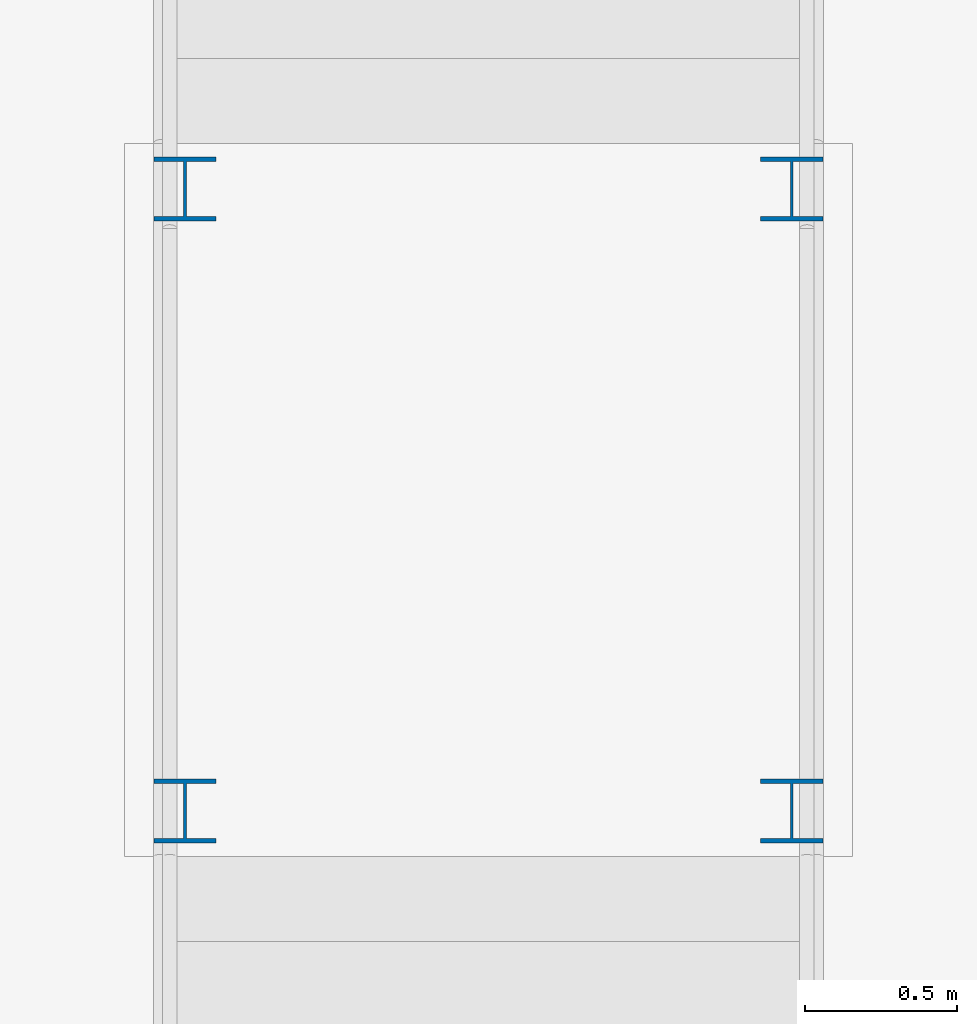
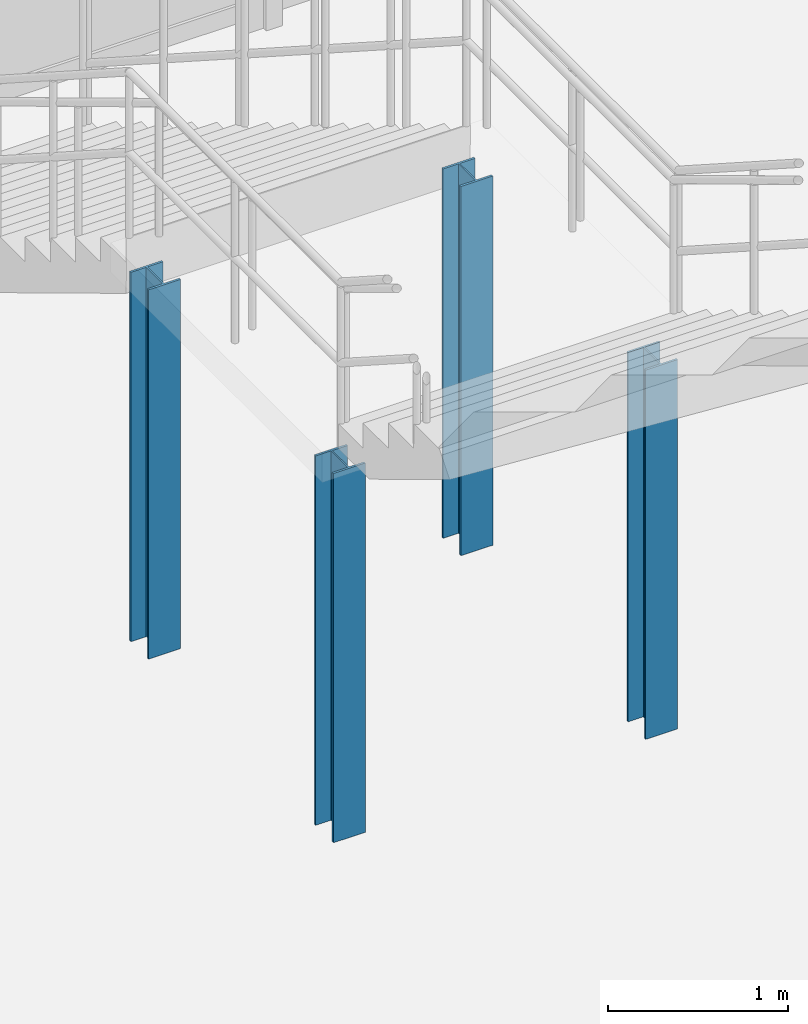
# One storey, part 4 of 113: 4 columns.
"""IFC4 building model written with IfcOpenShell, lengths in metres."""

from ifc_helpers import new_model, si_unit, direction, frame, origin, origin_2d, place, context, subcontext, project, spatial, i_section, extrude, material, material_profile, profile_set, type_object, element, save


model = new_model("IFC4")

# Units and contexts
model_context = context("Model", 3, precision=1e-05, world=origin(), true_north=direction((0.0, 1.0)))
body_context = subcontext(model_context, "Body", "Model", "MODEL_VIEW")
ifc_project = project(units=[si_unit("LENGTHUNIT", "METRE"), si_unit("AREAUNIT", "SQUARE_METRE"), si_unit("VOLUMEUNIT", "CUBIC_METRE"), si_unit("PLANEANGLEUNIT", "RADIAN"), si_unit("MASSUNIT", "GRAM", prefix="KILO"), si_unit("POWERUNIT", "WATT"), si_unit("THERMODYNAMICTEMPERATUREUNIT", "KELVIN")], contexts=[model_context])

# Site, building, storey
site_placement = place(None, origin())
site = spatial("IfcSite", under=ifc_project, at=site_placement, CompositionType="ELEMENT")
building_placement = place(site_placement, origin())
building = spatial("IfcBuilding", under=site, at=building_placement, Name="Kelmbourne Parkland Aquatics Centre", CompositionType="ELEMENT")
storey_placement = place(building_placement, origin())
storey = spatial("IfcBuildingStorey", under=building, at=storey_placement, Name="L00", CompositionType="ELEMENT", Elevation=0.0)

# Columns
ifc_material = material(Name="Structural steel AS/NZS 3679.1 Grade 300", Category="steel")
ifc_material_profile = material_profile(ifc_material, i_section(OverallWidth=0.205078125, OverallDepth=0.2099609375, WebThickness=0.00927734375, FlangeThickness=0.01416015625, at=origin_2d()), Name="200UC59.5")
ifc_profile_set = profile_set([ifc_material_profile], Name="Structural steel AS/NZS 3679.1 Grade 300")
column_type = type_object("IfcColumnType", Name="COL-C19", PredefinedType="COLUMN", material=ifc_profile_set)
for number, where, z_axis, x_axis, name in (
    (1, (57.5, 16.550048828125, 0.0), (0.0, 0.0, 1.0), (1.0, 0.0, 0.0), "Feature stair FS01 landing post 1"),
    (2, (59.5, 16.550048828125, 0.0), (0.0, 0.0, 1.0), (1.0, 0.0, 0.0), "Feature stair FS01 landing post 2"),
    (3, (57.5, 18.60009765625, 0.0), (0.0, 0.0, 1.0), (1.0, 0.0, 0.0), "Feature stair FS01 landing post 3"),
    (4, (59.5, 18.60009765625, 0.0), (0.0, 0.0, 1.0), (1.0, 0.0, 0.0), "Feature stair FS01 landing post 4"),
):
    element("IfcColumn", number, at=place(storey_placement, frame(where, z_axis=z_axis, x_axis=x_axis)), inside=storey, type_object=column_type, Name=name, PredefinedType="COLUMN", context=body_context, shape_type="SweptSolid", body=[
        extrude(i_section(OverallWidth=0.205078125, OverallDepth=0.2099609375, WebThickness=0.00927734375, FlangeThickness=0.01416015625, at=origin_2d()), origin(), (0.0, 0.0, 1.0), 2.5),
    ])

save(model, "model.ifc")
